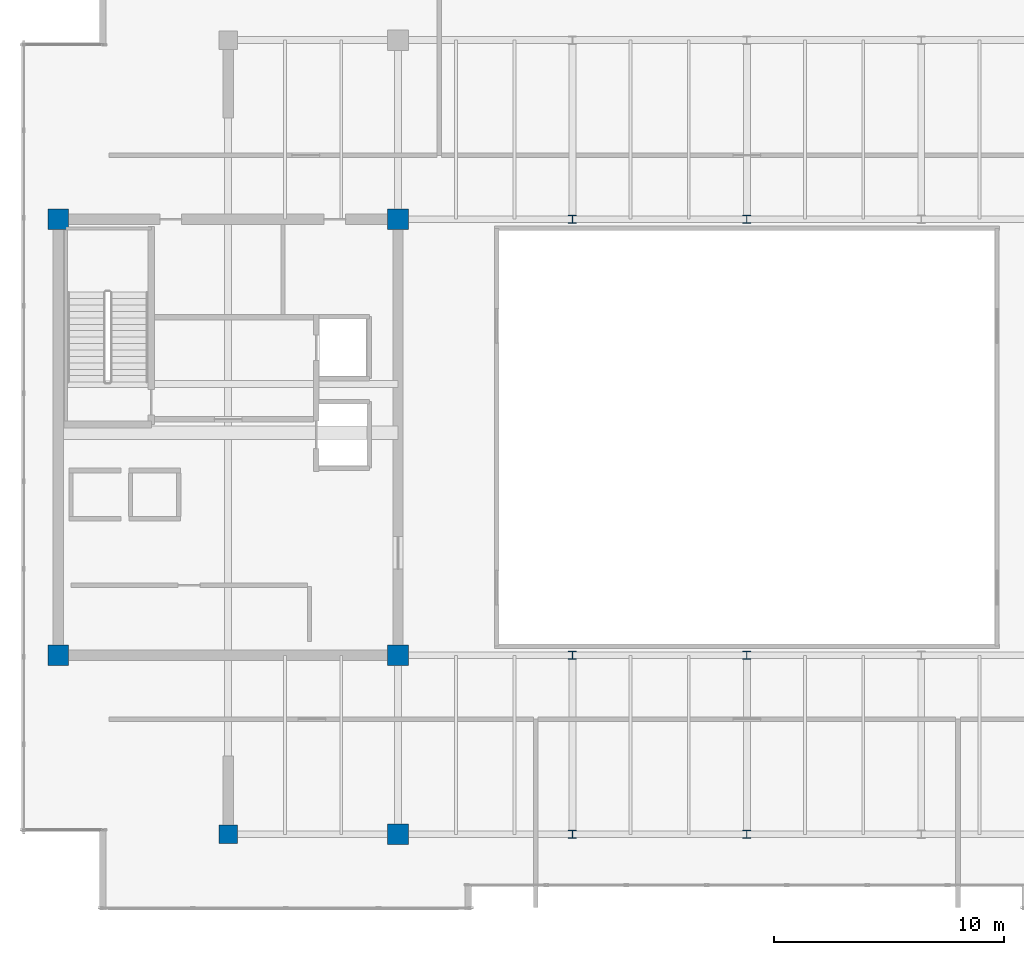
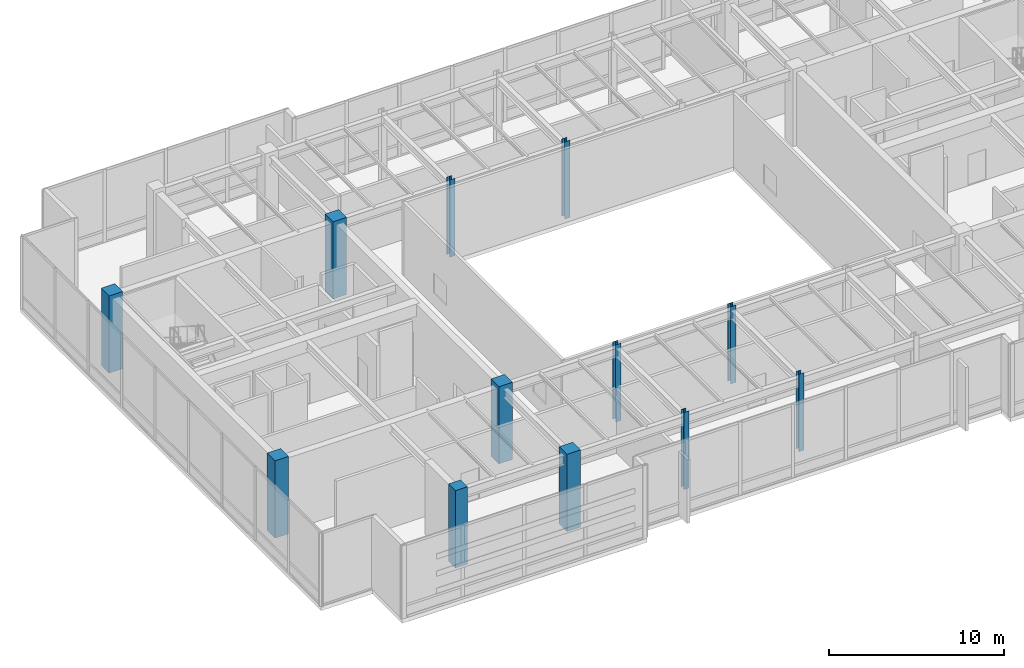
# One storey, part 1 of 30: 12 columns.
"""IFC4 building model written with IfcOpenShell, lengths in metres."""

import ifcopenshell
import ifcopenshell.guid

model = None  # the IFC model being written
_history = None  # IfcOwnerHistory: only IFC2X3 demands one
_inside = {}  # id of a spatial element -> (the spatial element, [elements in it])
_under = {}  # id of a project, library or spatial element -> (it, [spatial elements below it])
_declared = {}  # id of a project -> (the project, [libraries it declares])
_typed = {}  # id of a type object -> (the type object, [elements of that type])
_made_of = {}  # id of a material, layer set ... -> (it, [elements and type objects made of it])


def new_model(schema):
    """Start an empty IFC model of exactly this schema.

    Asked for "IFC4X3", IfcOpenShell would pick the latest addendum, in which some entities
    have other attributes; the version numbers below select the first issue.
    IFC2X3 requires an IfcOwnerHistory on every rooted entity: one is made here for all.
    """
    global model, _history
    if schema == "IFC4X3":
        model = ifcopenshell.file(schema_version=(4, 3, 0, 0))
    else:
        model = ifcopenshell.file(schema=schema)
    _inside.clear()
    _under.clear()
    _declared.clear()
    _typed.clear()
    _made_of.clear()
    _history = None
    if model.schema == "IFC2X3":
        org = make("IfcOrganization", Name="unknown")
        user = make(
            "IfcPersonAndOrganization",
            ThePerson=make("IfcPerson", FamilyName="unknown"),
            TheOrganization=org,
        )
        app = make(
            "IfcApplication",
            ApplicationDeveloper=org,
            Version="unknown",
            ApplicationFullName="unknown",
            ApplicationIdentifier="unknown",
        )
        _history = make(
            "IfcOwnerHistory",
            OwningUser=user,
            OwningApplication=app,
            ChangeAction="ADDED",
            CreationDate=0,
        )
    return model


def make(cls, **values):
    """One entity of the class cls with the attributes given. An attribute that is None is left unset."""
    return model.create_entity(
        cls, **{name: value for name, value in values.items() if value is not None}
    )


def rooted(cls, **values):
    """An entity with a GlobalId (a new one), such as an element, a storey or a relation."""
    return make(cls, GlobalId=ifcopenshell.guid.new(), OwnerHistory=_history, **values)


def si_unit(unit_type, name, prefix=None):
    """IfcSIUnit, for example si_unit("LENGTHUNIT", "METRE", prefix="MILLI")."""
    return make("IfcSIUnit", UnitType=unit_type, Prefix=prefix, Name=name)


def assignment(units):
    """IfcUnitAssignment: the units of a project."""
    return None if units is None else make("IfcUnitAssignment", Units=units)


def point(xyz):
    """IfcCartesianPoint."""
    return None if xyz is None else make("IfcCartesianPoint", Coordinates=xyz)


def direction(xyz):
    """IfcDirection."""
    return None if xyz is None else make("IfcDirection", DirectionRatios=xyz)


def frame(location, z_axis=None, x_axis=None):
    """IfcAxis2Placement3D, a coordinate frame: its origin and axes. An axis left out is left unset."""
    return make(
        "IfcAxis2Placement3D",
        Location=point(location),
        Axis=direction(z_axis),
        RefDirection=direction(x_axis),
    )


def frame_2d(location, x_axis=None):
    """IfcAxis2Placement2D, a coordinate frame in the plane: its origin and x axis."""
    return make(
        "IfcAxis2Placement2D", Location=point(location), RefDirection=direction(x_axis)
    )


def origin():
    """The frame at (0, 0, 0) with its axes left unset."""
    return frame((0.0, 0.0, 0.0))


def origin_2d():
    """The frame at (0, 0) in the plane with its x axis left unset."""
    return frame_2d((0.0, 0.0))


def place(relative_to, where):
    """IfcLocalPlacement: puts the frame where relative to a parent placement (None: the world)."""
    return make(
        "IfcLocalPlacement", PlacementRelTo=relative_to, RelativePlacement=where
    )


def context(
    kind, dimensions, precision=None, world=None, true_north=None, identifier=None
):
    """IfcGeometricRepresentationContext, for example the 3D "Model" context."""
    return make(
        "IfcGeometricRepresentationContext",
        ContextIdentifier=identifier,
        ContextType=kind,
        CoordinateSpaceDimension=dimensions,
        Precision=precision,
        WorldCoordinateSystem=world,
        TrueNorth=true_north,
    )


def subcontext(parent, identifier, kind, view, scale=None):
    """IfcGeometricRepresentationSubContext, for example "Body" below "Model"."""
    return make(
        "IfcGeometricRepresentationSubContext",
        ContextIdentifier=identifier,
        ContextType=kind,
        ParentContext=parent,
        TargetScale=scale,
        TargetView=view,
    )


def project(units=None, contexts=None):
    """IfcProject with its units and contexts."""
    return rooted(
        "IfcProject",
        Name="project",
        RepresentationContexts=contexts,
        UnitsInContext=assignment(units),
    )


def spatial(cls, under=None, at=None, **own):
    """A site, building, storey or space (cls), placed at a placement, below another one or the project."""
    s = rooted(cls, ObjectPlacement=at, **own)
    if under is not None:
        _under.setdefault(under.id(), (under, []))[1].append(s)
    return s


def profile(cls, at=None, kind="AREA", **sizes):
    """A parametric profile (cls). Its sizes go by their IFC names, for example OverallWidth=200.0."""
    return make(cls, ProfileType=kind, Position=at, **sizes)


def rectangle(**sizes):
    """IfcRectangleProfileDef."""
    return profile("IfcRectangleProfileDef", **sizes)


def i_section(**sizes):
    """IfcIShapeProfileDef."""
    return profile("IfcIShapeProfileDef", **sizes)


def extrude(swept, where, along, depth):
    """IfcExtrudedAreaSolid: the profile swept, set in the frame where, extruded along a direction by depth."""
    return make(
        "IfcExtrudedAreaSolid",
        SweptArea=swept,
        Position=where,
        ExtrudedDirection=direction(along),
        Depth=depth,
    )


def shape(context_of_items, identifier, shape_type, items):
    """IfcShapeRepresentation: the items that make up one representation, for example the "Body"."""
    return make(
        "IfcShapeRepresentation",
        ContextOfItems=context_of_items,
        RepresentationIdentifier=identifier,
        RepresentationType=shape_type,
        Items=items,
    )


def source(mapping_origin, context_of_items, identifier, shape_type, items):
    """IfcRepresentationMap: a shape defined once, which mapped items show again and again."""
    return make(
        "IfcRepresentationMap",
        MappingOrigin=mapping_origin,
        MappedRepresentation=shape(context_of_items, identifier, shape_type, items),
    )


def transform(
    local_origin,
    x_axis=None,
    y_axis=None,
    z_axis=None,
    scale=None,
    scale2=None,
    scale3=None,
    uniform=True,
):
    """IfcCartesianTransformationOperator3D, or its non-uniform kind. x_axis, y_axis, z_axis: its Axis1, 2, 3."""
    if uniform:
        return make(
            "IfcCartesianTransformationOperator3D",
            Axis1=direction(x_axis),
            Axis2=direction(y_axis),
            LocalOrigin=point(local_origin),
            Scale=scale,
            Axis3=direction(z_axis),
        )
    return make(
        "IfcCartesianTransformationOperator3DnonUniform",
        Axis1=direction(x_axis),
        Axis2=direction(y_axis),
        LocalOrigin=point(local_origin),
        Scale=scale,
        Axis3=direction(z_axis),
        Scale2=scale2,
        Scale3=scale3,
    )


def mapped(mapping_source, mapping_target):
    """IfcMappedItem: shows the shape of a source again, moved by a transform."""
    return make(
        "IfcMappedItem", MappingSource=mapping_source, MappingTarget=mapping_target
    )


def material(Name=None, Category=None):
    """IfcMaterial."""
    return make("IfcMaterial", Name=Name, Category=Category)


def material_profile(
    of_material, cross_section, Name=None, Category=None, Priority=None
):
    """IfcMaterialProfile: a cross section and its material."""
    return make(
        "IfcMaterialProfile",
        Name=Name,
        Material=of_material,
        Profile=cross_section,
        Priority=Priority,
        Category=Category,
    )


def profile_set(profiles, Name=None, composite=None):
    """IfcMaterialProfileSet."""
    return make(
        "IfcMaterialProfileSet",
        Name=Name,
        MaterialProfiles=profiles,
        CompositeProfile=composite,
    )


def made_of(thing, what):
    """Note that an element or type object is made of a material, layer set ...; save() writes the relation."""
    if what is not None:
        _made_of.setdefault(what.id(), (what, []))[1].append(thing)
    return thing


def type_object(cls, material=None, **own):
    """A type object (cls), such as IfcWallType, which elements share."""
    return made_of(rooted(cls, **own), material)


def type_shapes(of_type, sources):
    """Give a type object the sources (RepresentationMaps) that its elements show as mapped items."""
    of_type.RepresentationMaps = sources


def element(
    cls,
    number,
    at=None,
    inside=None,
    cuts=None,
    type_object=None,
    material=None,
    context=None,
    identifier="Body",
    shape_type=None,
    held_by="IfcProductDefinitionShape",
    body=None,
    shapes=None,
    **own,
):
    """One element of the class cls, such as IfcWall. Its Tag is "e" and its number.

    at: its placement. inside: the storey or other place that contains it. cuts: it is an
    opening in that element (IfcRelVoidsElement). A single representation is given by context,
    identifier, shape_type and body (its items); several are given by shapes. held_by: the class
    of the entity that holds the representations. save() writes the other relations.
    """
    e = rooted(cls, Tag="e%d" % number, ObjectPlacement=at, **own)
    if body is not None:
        shapes = [shape(context, identifier, shape_type, body)]
    if shapes is not None:
        e.Representation = make(held_by, Representations=shapes)
    if inside is not None:
        _inside.setdefault(inside.id(), (inside, []))[1].append(e)
    if cuts is not None:
        rooted(
            "IfcRelVoidsElement", RelatingBuildingElement=cuts, RelatedOpeningElement=e
        )
    if type_object is not None:
        _typed.setdefault(type_object.id(), (type_object, []))[1].append(e)
    return made_of(e, material)


def aggregate(whole, parts):
    """IfcRelAggregates: a whole, such as a stair, and the parts it consists of."""
    return rooted("IfcRelAggregates", RelatingObject=whole, RelatedObjects=parts)


def save(model, path):
    """Write the relations noted so far, then the file.

    IfcRelAggregates (storeys below a building ...), IfcRelContainedInSpatialStructure (elements
    in a storey), IfcRelDefinesByType, IfcRelAssociatesMaterial and IfcRelDeclares: one each for
    every whole, place, type object, material and project.
    """
    for whole, parts in _under.values():
        aggregate(whole, parts)
    for where, things in _inside.values():
        rooted(
            "IfcRelContainedInSpatialStructure",
            RelatedElements=things,
            RelatingStructure=where,
        )
    for kind, things in _typed.values():
        rooted("IfcRelDefinesByType", RelatedObjects=things, RelatingType=kind)
    for what, things in _made_of.values():
        rooted("IfcRelAssociatesMaterial", RelatedObjects=things, RelatingMaterial=what)
    for by, libraries in _declared.values():
        rooted("IfcRelDeclares", RelatingContext=by, RelatedDefinitions=libraries)
    model.write(path)


model = new_model("IFC4")

# Units and contexts
model_context = context("Model", 3, precision=1e-05, world=origin(), true_north=direction((0.0, 1.0)))
body_context = subcontext(model_context, "Body", "Model", "MODEL_VIEW")
ifc_project = project(units=[si_unit("LENGTHUNIT", "METRE"), si_unit("AREAUNIT", "SQUARE_METRE"), si_unit("VOLUMEUNIT", "CUBIC_METRE"), si_unit("PLANEANGLEUNIT", "RADIAN"), si_unit("MASSUNIT", "GRAM", prefix="KILO")], contexts=[model_context])

# Site, building, storey
site_placement = place(None, origin())
site = spatial("IfcSite", under=ifc_project, at=site_placement, CompositionType="ELEMENT")
building_placement = place(site_placement, origin())
building = spatial("IfcBuilding", under=site, at=building_placement, Name="Haelvirn Gate Laboratories", CompositionType="ELEMENT")
storey_placement = place(building_placement, frame((0.0, 0.0, 327.0)))
storey = spatial("IfcBuildingStorey", under=building, at=storey_placement, Name="L78", CompositionType="ELEMENT", Elevation=327.0)

# Columns
ifc_material_1 = material(Name="Concrete C50/60", Category="concrete")
ifc_material_profile_1 = material_profile(ifc_material_1, rectangle(XDim=0.800048828125, YDim=0.800048828125, at=origin_2d()), Name="RC-800x800")
ifc_profile_set_1 = profile_set([ifc_material_profile_1], Name="Concrete C50/60")
column_type_1 = type_object("IfcColumnType", Name="COL-RC-800", PredefinedType="COLUMN", material=ifc_profile_set_1)
shared_shape_1 = source(origin(), body_context, "Body", "SweptSolid", [
    extrude(rectangle(XDim=0.800048828125, YDim=0.800048828125, at=origin_2d()), origin(), (0.0, 0.0, 1.0), 5.39990234375),
])
type_shapes(column_type_1, [shared_shape_1])
column_placement = place(storey_placement, frame((14.800048828125, 7.0, 0.0), z_axis=(0.0, 0.0, 1.0), x_axis=(1.0, 0.0, 0.0)))
element("IfcColumn", 1, at=column_placement, inside=storey, type_object=column_type_1, Name="L78 Column 3B", PredefinedType="COLUMN", context=body_context, shape_type="MappedRepresentation", body=[
    mapped(shared_shape_1, transform((0.0, 0.0, 0.0), scale=1.0)),
])
ifc_material_profile_2 = material_profile(ifc_material_1, rectangle(XDim=0.89990234375, YDim=0.89990234375, at=origin_2d()), Name="RC-900x900")
ifc_profile_set_2 = profile_set([ifc_material_profile_2], Name="Concrete C50/60")
column_type_2 = type_object("IfcColumnType", Name="COL-RC-900", PredefinedType="COLUMN", material=ifc_profile_set_2)
shared_shape_2 = source(origin(), body_context, "Body", "SweptSolid", [
    extrude(rectangle(XDim=0.89990234375, YDim=0.89990234375, at=origin_2d()), origin(), (0.0, 0.0, 1.0), 5.39990234375),
])
type_shapes(column_type_2, [shared_shape_2])
for number, where, z_axis, x_axis, name in (
    (2, (22.199951171875, 7.0, 0.0), (0.0, 0.0, 1.0), (1.0, 0.0, 0.0), "L78 Column 4B"),
    (3, (7.39990234375, 14.800048828125, 0.0), (0.0, 0.0, 1.0), (1.0, 0.0, 0.0), "L78 Column 2C"),
    (4, (22.199951171875, 14.800048828125, 0.0), (0.0, 0.0, 1.0), (1.0, 0.0, 0.0), "L78 Column 4C"),
    (5, (7.39990234375, 33.800048828125, 0.0), (0.0, 0.0, 1.0), (1.0, 0.0, 0.0), "L78 Column 2F"),
    (6, (22.199951171875, 33.800048828125, 0.0), (0.0, 0.0, 1.0), (1.0, 0.0, 0.0), "L78 Column 4F"),
):
    element("IfcColumn", number, at=place(storey_placement, frame(where, z_axis=z_axis, x_axis=x_axis)), inside=storey, type_object=column_type_2, Name=name, PredefinedType="COLUMN", context=body_context, shape_type="MappedRepresentation", body=[
        mapped(shared_shape_2, transform((0.0, 0.0, 0.0), scale=1.0)),
    ])
ifc_material_2 = material(Name="Steel SM355", Category="steel")
ifc_material_profile_3 = material_profile(ifc_material_2, i_section(OverallWidth=0.35009765625, OverallDepth=0.35009765625, WebThickness=0.011962890625, FlangeThickness=0.01904296875, at=origin_2d()), Name="H-350x350x12x19")
ifc_profile_set_3 = profile_set([ifc_material_profile_3], Name="Steel SM355")
column_type_3 = type_object("IfcColumnType", Name="COL-H-350", PredefinedType="COLUMN", material=ifc_profile_set_3)
shared_shape_3 = source(origin(), body_context, "Body", "SweptSolid", [
    extrude(i_section(OverallWidth=0.35009765625, OverallDepth=0.35009765625, WebThickness=0.011962890625, FlangeThickness=0.01904296875, at=origin_2d()), origin(), (0.0, 0.0, 1.0), 5.39990234375),
])
type_shapes(column_type_3, [shared_shape_3])
for number, where, z_axis, x_axis, name in (
    (7, (29.800048828125, 7.0, 0.0), (0.0, 0.0, 1.0), (1.0, 0.0, 0.0), "L78 Column 5B"),
    (8, (29.800048828125, 14.800048828125, 0.0), (0.0, 0.0, 1.0), (1.0, 0.0, 0.0), "L78 Column 5C"),
    (9, (29.800048828125, 33.800048828125, 0.0), (0.0, 0.0, 1.0), (1.0, 0.0, 0.0), "L78 Column 5F"),
    (10, (37.39990234375, 7.0, 0.0), (0.0, 0.0, 1.0), (1.0, 0.0, 0.0), "L78 Column 6B"),
    (11, (37.39990234375, 14.800048828125, 0.0), (0.0, 0.0, 1.0), (1.0, 0.0, 0.0), "L78 Column 6C"),
    (12, (37.39990234375, 33.800048828125, 0.0), (0.0, 0.0, 1.0), (1.0, 0.0, 0.0), "L78 Column 6F"),
):
    element("IfcColumn", number, at=place(storey_placement, frame(where, z_axis=z_axis, x_axis=x_axis)), inside=storey, type_object=column_type_3, Name=name, PredefinedType="COLUMN", context=body_context, shape_type="MappedRepresentation", body=[
        mapped(shared_shape_3, transform((0.0, 0.0, 0.0), scale=1.0)),
    ])

save(model, "model.ifc")
